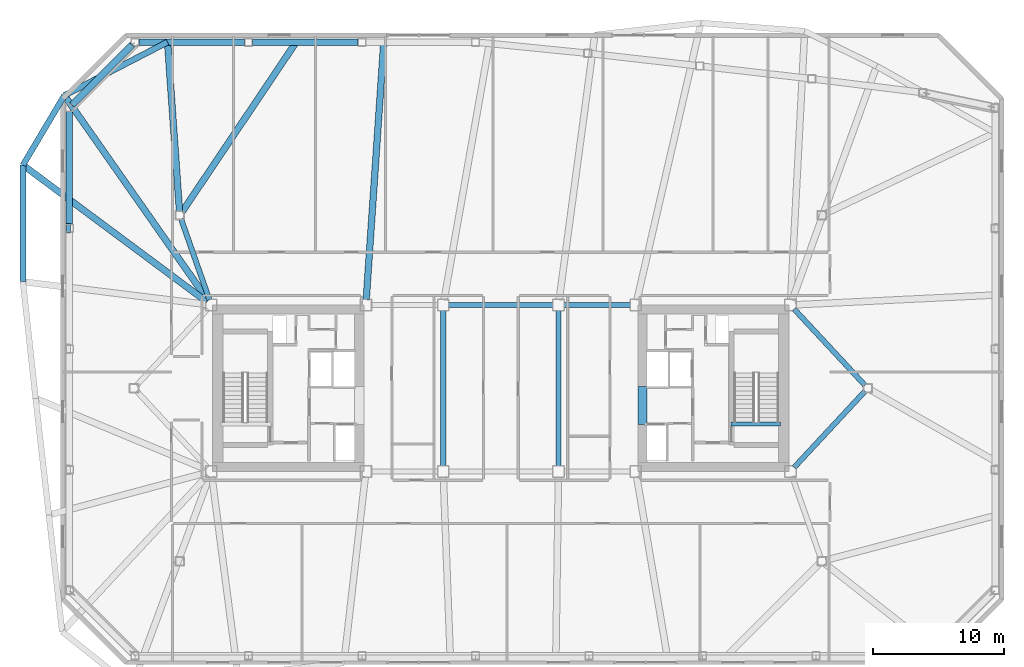
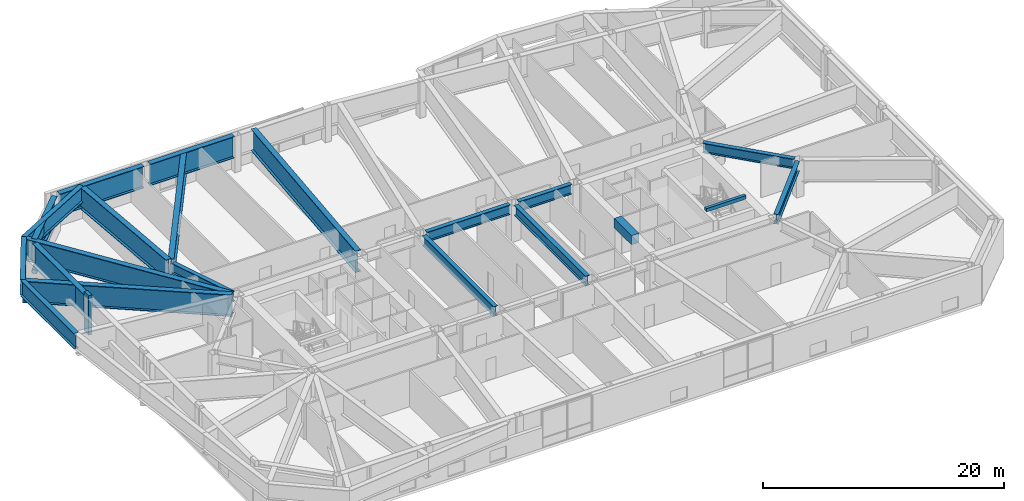
# One storey, part 7 of 19: 21 beams, 2 members.
"""IFC4 building model written with IfcOpenShell, lengths in metres."""

from ifc_helpers import new_model, si_unit, direction, frame, origin, origin_2d, place, context, subcontext, project, spatial, rectangle, hollow_circle, i_section, extrude, material, material_profile, profile_set, type_object, element, save


model = new_model("IFC4")

# Units and contexts
model_context = context("Model", 3, precision=1e-05, world=origin(), true_north=direction((0.0, 1.0)))
body_context = subcontext(model_context, "Body", "Model", "MODEL_VIEW")
ifc_project = project(units=[si_unit("LENGTHUNIT", "METRE"), si_unit("AREAUNIT", "SQUARE_METRE"), si_unit("VOLUMEUNIT", "CUBIC_METRE"), si_unit("PLANEANGLEUNIT", "RADIAN"), si_unit("MASSUNIT", "GRAM", prefix="KILO")], contexts=[model_context])

# Site, building, storey
site_placement = place(None, origin())
site = spatial("IfcSite", under=ifc_project, at=site_placement, CompositionType="ELEMENT")
building_placement = place(site_placement, origin())
building = spatial("IfcBuilding", under=site, at=building_placement, Name="Tavrogorsk Clinical Tower", CompositionType="ELEMENT")
storey_placement = place(building_placement, frame((0.0, 0.0, 204.199951171875)))
storey = spatial("IfcBuildingStorey", under=building, at=storey_placement, Name="L47", CompositionType="ELEMENT", Elevation=204.199951171875)

# Beam
ifc_material_1 = material(Name="Concrete B80", Category="concrete")
ifc_material_profile_1 = material_profile(ifc_material_1, rectangle(XDim=0.699951171875, YDim=0.949951171875, at=origin_2d()), Name="RC-CB-700x950")
ifc_profile_set_1 = profile_set([ifc_material_profile_1], Name="Concrete B80")
beam_type_1 = type_object("IfcBeamType", Name="CouplingBeam_RC700x950", PredefinedType="LINTEL", material=ifc_profile_set_1)
beam_1_placement = place(storey_placement, frame((10.800048828125, -2.75, 3.205078125), z_axis=(0.0, 1.0, 0.0), x_axis=(-1.0, 0.0, 0.0)))
element("IfcBeam", 1, at=beam_1_placement, inside=storey, type_object=beam_type_1, Name="L47 Core East Coupling Beam", PredefinedType="LINTEL", context=body_context, shape_type="SweptSolid", body=[
    extrude(rectangle(XDim=0.699951171875, YDim=0.949951171875, at=origin_2d()), origin(), (0.0, 0.0, 1.0), 2.89990234375),
])

# Members
ifc_material_2 = material(Name="Structural steel S440", Category="steel")
ifc_material_profile_2 = material_profile(ifc_material_2, hollow_circle(Radius=0.25390625, WallThickness=0.02001953125, at=origin_2d()), Name="CHS-508x20")
ifc_profile_set_2 = profile_set([ifc_material_profile_2], Name="Structural steel S440")
member_type_1 = type_object("IfcMemberType", Name="ExoBrace_CHS508", PredefinedType="BRACE", material=ifc_profile_set_2)
member_1_placement = place(storey_placement, frame((-32.704833984375, 21.635009765625, 0.3486328125), z_axis=(0.698248174064, 0.698248174064, 0.157794089982), x_axis=(-0.707106781187, 0.707106781187, 0.0)))
element("IfcMember", 2, at=member_1_placement, inside=storey, type_object=member_type_1, Name="L47 Corner Exoskeleton Brace N8-W1", PredefinedType="BRACE", context=body_context, shape_type="SweptSolid", body=[
    extrude(hollow_circle(Radius=0.25390625, WallThickness=0.02001953125, at=origin_2d()), origin(), (0.0, 0.0, 1.0), 6.544677734375),
])
ifc_material_3 = material(Name="Precast concrete B45 with limestone cladding", Category="masonry")
ifc_material_profile_3 = material_profile(ifc_material_3, rectangle(XDim=0.320068359375, YDim=0.719970703125, at=origin_2d()), Name="LIMESTONE-FIN-320x720")
ifc_profile_set_3 = profile_set([ifc_material_profile_3], Name="Precast concrete B45 with limestone cladding")
member_type_2 = type_object("IfcMemberType", Name="LimestonePleatFin_320x720", PredefinedType="USERDEFINED", material=ifc_profile_set_3)
member_2_placement = place(storey_placement, frame((-33.0, 12.2099609375, 0.0), z_axis=(0.0, 0.0, 1.0), x_axis=(1.0, 0.0, 0.0)))
element("IfcMember", 3, at=member_2_placement, inside=storey, type_object=member_type_2, Name="L47 W Pleated Stone Fin 1", ObjectType="FIN", PredefinedType="USERDEFINED", context=body_context, shape_type="SweptSolid", body=[
    extrude(rectangle(XDim=0.320068359375, YDim=0.719970703125, at=origin_2d()), origin(), (0.0, 0.0, 1.0), 4.0),
])

# Beams
ifc_material_4 = material(Name="Concrete B60", Category="concrete")
ifc_material_profile_4 = material_profile(ifc_material_4, rectangle(XDim=0.300048828125, YDim=0.35009765625, at=origin_2d()), Name="RC-SHB-300x350")
ifc_profile_set_4 = profile_set([ifc_material_profile_4], Name="Concrete B60")
beam_type_2 = type_object("IfcBeamType", Name="StairHeaderBeam_RC300x350", PredefinedType="BEAM", material=ifc_profile_set_4)
beam_2_placement = place(storey_placement, frame((17.550048828125, -2.719970703125, 3.824951171875), z_axis=(1.0, 0.0, 0.0), x_axis=(0.0, 1.0, 0.0)))
element("IfcBeam", 4, at=beam_2_placement, inside=storey, type_object=beam_type_2, Name="L48 ST-E Landing Header Beam", PredefinedType="BEAM", context=body_context, shape_type="SweptSolid", body=[
    extrude(rectangle(XDim=0.300048828125, YDim=0.35009765625, at=origin_2d()), origin(), (0.0, 0.0, 1.0), 3.800048828125),
])
ifc_material_5 = material(Name="Structural steel S440", Category="steel")
ifc_material_profile_5 = material_profile(ifc_material_5, i_section(OverallWidth=0.39990234375, OverallDepth=1.0, WebThickness=0.028076171875, FlangeThickness=0.044921875, at=origin_2d()), Name="DK-1000x400x28x45")
ifc_profile_set_5 = profile_set([ifc_material_profile_5], Name="Structural steel S440")
beam_type_3 = type_object("IfcBeamType", Name="TransferGirder_DK1000", PredefinedType="USERDEFINED", material=ifc_profile_set_5)
beam_3_placement = place(storey_placement, frame((-3.989990234375, 6.35009765625, 3.179931640625), z_axis=(1.0, 0.0, 0.0), x_axis=(0.0, 1.0, 0.0)))
element("IfcBeam", 5, at=beam_3_placement, inside=storey, type_object=beam_type_3, Name="L47 Primary Spine Girder MG-04", ObjectType="GIRDER", PredefinedType="USERDEFINED", context=body_context, shape_type="SweptSolid", body=[
    extrude(i_section(OverallWidth=0.39990234375, OverallDepth=1.0, WebThickness=0.028076171875, FlangeThickness=0.044921875, at=origin_2d()), origin(), (0.0, 0.0, 1.0), 7.97998046875),
])
beam_4_placement = place(storey_placement, frame((4.81005859375, 6.35009765625, 3.179931640625), z_axis=(1.0, 0.0, 0.0), x_axis=(0.0, 1.0, 0.0)))
element("IfcBeam", 6, at=beam_4_placement, inside=storey, type_object=beam_type_3, Name="L47 Primary Spine Girder MG-06", ObjectType="GIRDER", PredefinedType="USERDEFINED", context=body_context, shape_type="SweptSolid", body=[
    extrude(i_section(OverallWidth=0.39990234375, OverallDepth=1.0, WebThickness=0.028076171875, FlangeThickness=0.044921875, at=origin_2d()), origin(), (0.0, 0.0, 1.0), 5.079833984375),
])
for number, where, z_axis, x_axis, name in (
    (7, (-4.39990234375, -5.93994140625, 3.179931640625), (0.0, 1.0, 0.0), (-1.0, 0.0, 0.0), "L47 Primary Spine Girder MG-07"),
    (8, (4.39990234375, -5.93994140625, 3.179931640625), (0.0, 1.0, 0.0), (-1.0, 0.0, 0.0), "L47 Primary Spine Girder MG-08"),
):
    element("IfcBeam", number, at=place(storey_placement, frame(where, z_axis=z_axis, x_axis=x_axis)), inside=storey, type_object=beam_type_3, Name=name, ObjectType="GIRDER", PredefinedType="USERDEFINED", context=body_context, shape_type="SweptSolid", body=[
        extrude(i_section(OverallWidth=0.39990234375, OverallDepth=1.0, WebThickness=0.028076171875, FlangeThickness=0.044921875, at=origin_2d()), origin(), (0.0, 0.0, 1.0), 11.8798828125),
    ])
beam_5_placement = place(storey_placement, frame((-24.3974609375, 12.907470703125, 3.179931640625), z_axis=(0.33065312634, -0.94375235631, 0.0), x_axis=(0.94375235631, 0.33065312634, 0.0)))
element("IfcBeam", 9, at=beam_5_placement, inside=storey, type_object=beam_type_3, Name="L47 Spine Link Girder OPG-3", ObjectType="GIRDER", PredefinedType="USERDEFINED", context=body_context, shape_type="SweptSolid", body=[
    extrude(i_section(OverallWidth=0.39990234375, OverallDepth=1.0, WebThickness=0.028076171875, FlangeThickness=0.044921875, at=origin_2d()), origin(), (0.0, 0.0, 1.0), 6.5380859375),
])
for number, where, z_axis, x_axis, name in (
    (10, (27.7890625, -0.22705078125, 3.179931640625), (-0.680673750312, -0.732586681312, 0.0), (0.732586681312, -0.680673750312, 0.0), "L47 Spine Link Girder OPG-7"),
    (11, (27.7890625, 0.22705078125, 3.179931640625), (-0.680673750312, 0.732586681312, 0.0), (-0.732586681312, -0.680673750312, 0.0), "L47 Spine Link Girder OPG-8"),
):
    element("IfcBeam", number, at=place(storey_placement, frame(where, z_axis=z_axis, x_axis=x_axis)), inside=storey, type_object=beam_type_3, Name=name, ObjectType="GIRDER", PredefinedType="USERDEFINED", context=body_context, shape_type="SweptSolid", body=[
        extrude(i_section(OverallWidth=0.39990234375, OverallDepth=1.0, WebThickness=0.028076171875, FlangeThickness=0.044921875, at=origin_2d()), origin(), (0.0, 0.0, 1.0), 7.947998046875),
    ])
ifc_material_6 = material(Name="Structural steel S440", Category="steel")
ifc_material_profile_6 = material_profile(ifc_material_6, i_section(OverallWidth=0.449951171875, OverallDepth=1.60009765625, WebThickness=0.031982421875, FlangeThickness=0.050048828125, at=origin_2d()), Name="DK-1600x450x32x50")
ifc_profile_set_6 = profile_set([ifc_material_profile_6], Name="Structural steel S440")
beam_type_4 = type_object("IfcBeamType", Name="TransferGirder_DK1600", PredefinedType="USERDEFINED", material=ifc_profile_set_6)
beam_6_placement = place(storey_placement, frame((-25.435546875, 26.419921875, 2.880126953125), z_axis=(-0.888116477263, -0.459618453518, 0.0), x_axis=(0.459618453518, -0.888116477263, 0.0)))
element("IfcBeam", 12, at=beam_6_placement, inside=storey, type_object=beam_type_4, Name="L48 Transfer Edge Girder N7-N8", ObjectType="GIRDER", PredefinedType="USERDEFINED", context=body_context, shape_type="SweptSolid", body=[
    extrude(i_section(OverallWidth=0.449951171875, OverallDepth=1.60009765625, WebThickness=0.031982421875, FlangeThickness=0.050048828125, at=origin_2d()), origin(), (0.0, 0.0, 1.0), 8.864990234375),
])
beam_7_placement = place(storey_placement, frame((-33.30859375, 22.345458984375, 2.880126953125), z_axis=(-0.511385266265, -0.859351563359, 0.0), x_axis=(0.859351563359, -0.511385266265, 0.0)))
element("IfcBeam", 13, at=beam_7_placement, inside=storey, type_object=beam_type_4, Name="L48 Transfer Edge Girder N8-W1", ObjectType="GIRDER", PredefinedType="USERDEFINED", context=body_context, shape_type="SweptSolid", body=[
    extrude(i_section(OverallWidth=0.449951171875, OverallDepth=1.60009765625, WebThickness=0.031982421875, FlangeThickness=0.050048828125, at=origin_2d()), origin(), (0.0, 0.0, 1.0), 6.181884765625),
])
beam_8_placement = place(storey_placement, frame((-36.469970703125, 17.032958984375, 2.880126953125), z_axis=(0.0, -1.0, 0.0), x_axis=(1.0, 0.0, 0.0)))
element("IfcBeam", 14, at=beam_8_placement, inside=storey, type_object=beam_type_4, Name="L48 Transfer Edge Girder W1-W2", ObjectType="GIRDER", PredefinedType="USERDEFINED", context=body_context, shape_type="SweptSolid", body=[
    extrude(i_section(OverallWidth=0.449951171875, OverallDepth=1.60009765625, WebThickness=0.031982421875, FlangeThickness=0.050048828125, at=origin_2d()), origin(), (0.0, 0.0, 1.0), 8.90234375),
])
ifc_material_7 = material(Name="Structural steel S440", Category="steel")
ifc_material_profile_7 = material_profile(ifc_material_7, i_section(OverallWidth=0.5, OverallDepth=2.199951171875, WebThickness=0.035888671875, FlangeThickness=0.054931640625, at=origin_2d()), Name="DK-2200x500x36x55")
ifc_profile_set_7 = profile_set([ifc_material_profile_7], Name="Structural steel S440")
beam_type_5 = type_object("IfcBeamType", Name="TransferGirder_DK2200", PredefinedType="USERDEFINED", material=ifc_profile_set_7)
for number, where, z_axis, x_axis, name in (
    (15, (-10.90234375, 26.419921875, 2.580078125), (-1.0, 0.0, 0.0), (0.0, -1.0, 0.0), "L47 Perimeter Spandrel N6-N7"),
    (16, (-19.565185546875, 26.419921875, 2.580078125), (-1.0, 0.0, 0.0), (0.0, -1.0, 0.0), "L47 Perimeter Spandrel N7-N8"),
):
    element("IfcBeam", number, at=place(storey_placement, frame(where, z_axis=z_axis, x_axis=x_axis)), inside=storey, type_object=beam_type_5, Name=name, ObjectType="GIRDER", PredefinedType="USERDEFINED", context=body_context, shape_type="SweptSolid", body=[
        extrude(i_section(OverallWidth=0.5, OverallDepth=2.199951171875, WebThickness=0.035888671875, FlangeThickness=0.054931640625, at=origin_2d()), origin(), (0.0, 0.0, 1.0), 8.046875),
    ])
beam_9_placement = place(storey_placement, frame((-28.1376953125, 26.2021484375, 2.580078125), z_axis=(-0.707106781187, -0.707106781187, 0.0), x_axis=(0.707106781187, -0.707106781187, 0.0)))
element("IfcBeam", 17, at=beam_9_placement, inside=storey, type_object=beam_type_5, Name="L47 Perimeter Spandrel N8-W1", ObjectType="GIRDER", PredefinedType="USERDEFINED", context=body_context, shape_type="SweptSolid", body=[
    extrude(i_section(OverallWidth=0.5, OverallDepth=2.199951171875, WebThickness=0.035888671875, FlangeThickness=0.054931640625, at=origin_2d()), origin(), (0.0, 0.0, 1.0), 6.455078125),
])
beam_10_placement = place(storey_placement, frame((-32.919921875, 21.112060546875, 2.580078125), z_axis=(0.0, -1.0, 0.0), x_axis=(1.0, 0.0, 0.0)))
element("IfcBeam", 18, at=beam_10_placement, inside=storey, type_object=beam_type_5, Name="L47 Perimeter Spandrel W1-W2", ObjectType="GIRDER", PredefinedType="USERDEFINED", context=body_context, shape_type="SweptSolid", body=[
    extrude(i_section(OverallWidth=0.5, OverallDepth=2.199951171875, WebThickness=0.035888671875, FlangeThickness=0.054931640625, at=origin_2d()), origin(), (0.0, 0.0, 1.0), 8.593994140625),
])
beam_11_placement = place(storey_placement, frame((-10.272216796875, 6.759033203125, 2.580078125), z_axis=(0.068063965313, 0.997680959338, 0.0), x_axis=(-0.997680959338, 0.068063965313, 0.0)))
element("IfcBeam", 19, at=beam_11_placement, inside=storey, type_object=beam_type_5, Name="L48 Block Transfer Girder N5", ObjectType="GIRDER", PredefinedType="USERDEFINED", context=body_context, shape_type="SweptSolid", body=[
    extrude(i_section(OverallWidth=0.5, OverallDepth=2.199951171875, WebThickness=0.035888671875, FlangeThickness=0.054931640625, at=origin_2d()), origin(), (0.0, 0.0, 1.0), 19.70654296875),
])
beam_12_placement = place(storey_placement, frame((-24.3271484375, 13.457275390625, 2.580078125), z_axis=(0.557665844175, 0.83006554334, 0.0), x_axis=(-0.83006554334, 0.557665844175, 0.0)))
element("IfcBeam", 20, at=beam_12_placement, inside=storey, type_object=beam_type_5, Name="L48 Block Transfer Girder N6", ObjectType="GIRDER", PredefinedType="USERDEFINED", context=body_context, shape_type="SweptSolid", body=[
    extrude(i_section(OverallWidth=0.5, OverallDepth=2.199951171875, WebThickness=0.035888671875, FlangeThickness=0.054931640625, at=origin_2d()), origin(), (0.0, 0.0, 1.0), 15.616455078125),
])
beam_13_placement = place(storey_placement, frame((-24.52197265625, 13.50927734375, 2.580078125), z_axis=(-0.070584823413, 0.997505780787, 0.0), x_axis=(-0.997505780787, -0.070584823413, 0.0)))
element("IfcBeam", 21, at=beam_13_placement, inside=storey, type_object=beam_type_5, Name="L48 Block Transfer Girder N7", ObjectType="GIRDER", PredefinedType="USERDEFINED", context=body_context, shape_type="SweptSolid", body=[
    extrude(i_section(OverallWidth=0.5, OverallDepth=2.199951171875, WebThickness=0.035888671875, FlangeThickness=0.054931640625, at=origin_2d()), origin(), (0.0, 0.0, 1.0), 12.94287109375),
])
beam_14_placement = place(storey_placement, frame((-22.335205078125, 6.685791015625, 2.580078125), z_axis=(-0.573870154416, 0.81894630219, 0.0), x_axis=(-0.81894630219, -0.573870154416, 0.0)))
element("IfcBeam", 22, at=beam_14_placement, inside=storey, type_object=beam_type_5, Name="L48 Block Transfer Girder N8", ObjectType="GIRDER", PredefinedType="USERDEFINED", context=body_context, shape_type="SweptSolid", body=[
    extrude(i_section(OverallWidth=0.5, OverallDepth=2.199951171875, WebThickness=0.035888671875, FlangeThickness=0.054931640625, at=origin_2d()), origin(), (0.0, 0.0, 1.0), 19.121826171875),
])
beam_15_placement = place(storey_placement, frame((-22.428955078125, 6.5947265625, 2.580078125), z_axis=(-0.802531379695, 0.596609909912, 0.0), x_axis=(-0.596609909912, -0.802531379695, 0.0)))
element("IfcBeam", 23, at=beam_15_placement, inside=storey, type_object=beam_type_5, Name="L48 Block Transfer Girder W1", ObjectType="GIRDER", PredefinedType="USERDEFINED", context=body_context, shape_type="SweptSolid", body=[
    extrude(i_section(OverallWidth=0.5, OverallDepth=2.199951171875, WebThickness=0.035888671875, FlangeThickness=0.054931640625, at=origin_2d()), origin(), (0.0, 0.0, 1.0), 17.495849609375),
])

save(model, "model.ifc")
